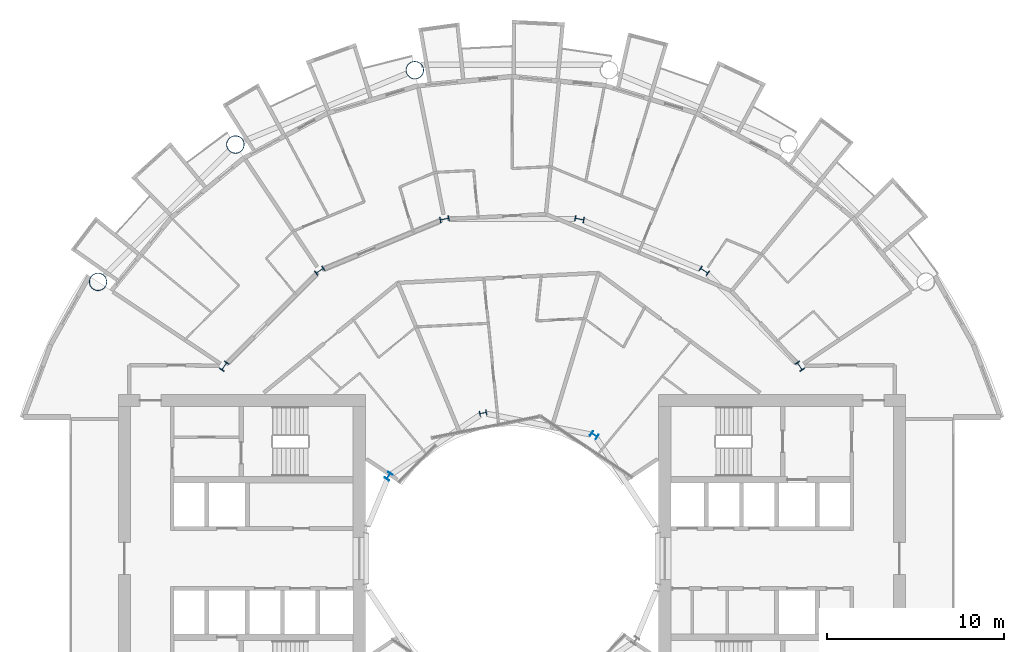
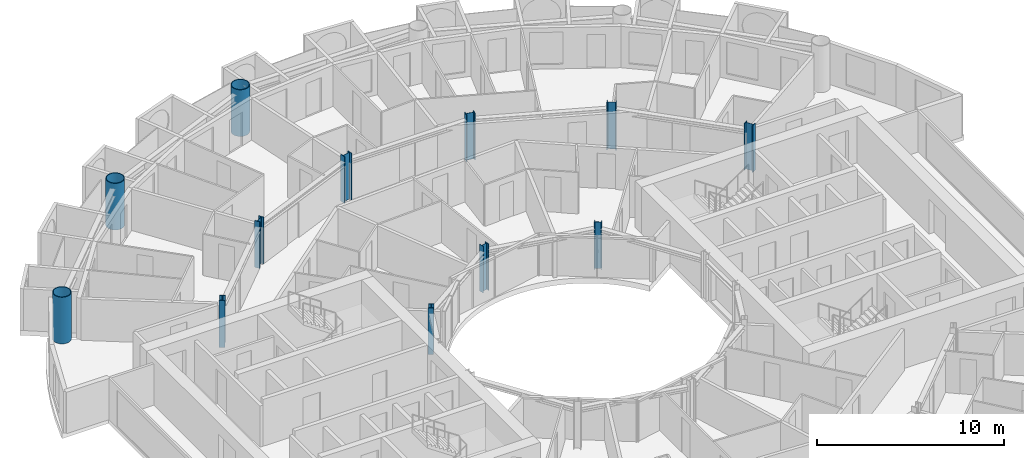
# One storey, part 3 of 26: 12 columns.
"""IFC4 building model written with IfcOpenShell, lengths in metres."""

from ifc_helpers import new_model, si_unit, direction, frame, origin, origin_2d, place, context, subcontext, project, spatial, hollow_circle, i_section, extrude, material, material_profile, profile_set, type_object, element, save


model = new_model("IFC4")

# Units and contexts
model_context = context("Model", 3, precision=1e-05, world=origin(), true_north=direction((0.0, 1.0)))
body_context = subcontext(model_context, "Body", "Model", "MODEL_VIEW")
ifc_project = project(units=[si_unit("LENGTHUNIT", "METRE"), si_unit("AREAUNIT", "SQUARE_METRE"), si_unit("VOLUMEUNIT", "CUBIC_METRE"), si_unit("PLANEANGLEUNIT", "RADIAN"), si_unit("MASSUNIT", "GRAM", prefix="KILO")], contexts=[model_context])

# Site, building, storey
site_placement = place(None, origin())
site = spatial("IfcSite", under=ifc_project, at=site_placement, CompositionType="ELEMENT")
building_placement = place(site_placement, origin())
building = spatial("IfcBuilding", under=site, at=building_placement, Name="Maasbend Ring Residences", CompositionType="ELEMENT")
storey_placement = place(building_placement, frame((0.0, 0.0, 69.699951171875)))
storey = spatial("IfcBuildingStorey", under=building, at=storey_placement, Name="L19", CompositionType="ELEMENT", Elevation=69.699951171875)

# Columns
ifc_material_1 = material(Name="Composite concrete-filled steel tube S460NH / C80/95", Category="concrete")
ifc_material_profile_1 = material_profile(ifc_material_1, hollow_circle(Radius=0.508056640625, WallThickness=0.0400390625, at=origin_2d()), Name="Composite tube column CHS 1016x40")
ifc_profile_set_1 = profile_set([ifc_material_profile_1], Name="Composite concrete-filled steel tube S460NH / C80/95")
column_type_1 = type_object("IfcColumnType", Name="Composite tube column CHS 1016x40", PredefinedType="COLUMN", material=ifc_profile_set_1)
for number, where, z_axis, x_axis, name in (
    (1, (-5.50146484375, 27.658203125, 0.0), (0.0, 0.0, 1.0), (1.0, 0.0, 0.0), "Outer column R5"),
    (2, (-15.6669921875, 23.447509765625, 0.0), (0.0, 0.0, 1.0), (1.0, 0.0, 0.0), "Outer column R6"),
    (3, (-23.447509765625, 15.6669921875, 0.0), (0.0, 0.0, 1.0), (1.0, 0.0, 0.0), "Outer column R7"),
):
    element("IfcColumn", number, at=place(storey_placement, frame(where, z_axis=z_axis, x_axis=x_axis)), inside=storey, type_object=column_type_1, Name=name, PredefinedType="COLUMN", context=body_context, shape_type="SweptSolid", body=[
        extrude(hollow_circle(Radius=0.508056640625, WallThickness=0.0400390625, at=origin_2d()), origin(), (0.0, 0.0, 1.0), 3.050048828125),
    ])
ifc_material_2 = material(Name="Steel S355J2", Category="steel")
ifc_material_profile_2 = material_profile(ifc_material_2, i_section(OverallWidth=0.300048828125, OverallDepth=0.39990234375, WebThickness=0.013427734375, FlangeThickness=0.02392578125, FilletRadius=0.027099609375, at=origin_2d()), Name="HEB 400")
ifc_profile_set_2 = profile_set([ifc_material_profile_2], Name="Steel S355J2")
column_type_2 = type_object("IfcColumnType", Name="Steel column HEB 400", PredefinedType="COLUMN", material=ifc_profile_set_2)
for number, where, z_axis, x_axis, name in (
    (4, (4.666748046875, 6.984375, 0.0), (0.0, 0.0, 1.0), (0.55557023302, 0.831469612303, 0.0), "Well ring column R3"),
    (5, (-1.638916015625, 8.238525390625, 0.0), (0.0, 0.0, 1.0), (-0.195090322016, 0.980785280403, 0.0), "Well ring column R5"),
    (6, (-6.984375, 4.666748046875, 0.0), (0.0, 0.0, 1.0), (-0.831469612303, 0.55557023302, 0.0), "Well ring column R7"),
):
    element("IfcColumn", number, at=place(storey_placement, frame(where, z_axis=z_axis, x_axis=x_axis)), inside=storey, type_object=column_type_2, Name=name, PredefinedType="COLUMN", context=body_context, shape_type="SweptSolid", body=[
        extrude(i_section(OverallWidth=0.300048828125, OverallDepth=0.39990234375, WebThickness=0.013427734375, FlangeThickness=0.02392578125, FilletRadius=0.027099609375, at=origin_2d()), origin(), (0.0, 0.0, 1.0), 3.050048828125),
    ])
ifc_material_3 = material(Name="Steel S460M", Category="steel")
ifc_material_profile_3 = material_profile(ifc_material_3, i_section(OverallWidth=0.305908203125, OverallDepth=0.52392578125, WebThickness=0.02099609375, FlangeThickness=0.0400390625, FilletRadius=0.027099609375, at=origin_2d()), Name="HEM 500")
ifc_profile_set_3 = profile_set([ifc_material_profile_3], Name="Steel S460M")
column_type_3 = type_object("IfcColumnType", Name="Steel column HEM 500", PredefinedType="COLUMN", material=ifc_profile_set_3)
for number, where, z_axis, x_axis, name in (
    (7, (16.296875, 10.88916015625, 0.0), (0.0, 0.0, 1.0), (0.831469612303, 0.55557023302, 0.0), "Corridor ring column R2"),
    (8, (10.88916015625, 16.296875, 0.0), (0.0, 0.0, 1.0), (0.55557023302, 0.831469612303, 0.0), "Corridor ring column R3"),
    (9, (3.82373046875, 19.223388671875, 0.0), (0.0, 0.0, 1.0), (0.195090322016, 0.980785280403, 0.0), "Corridor ring column R4"),
    (10, (-3.82373046875, 19.223388671875, 0.0), (0.0, 0.0, 1.0), (-0.195090322016, 0.980785280403, 0.0), "Corridor ring column R5"),
    (11, (-10.88916015625, 16.296875, 0.0), (0.0, 0.0, 1.0), (-0.55557023302, 0.831469612303, 0.0), "Corridor ring column R6"),
    (12, (-16.296875, 10.88916015625, 0.0), (0.0, 0.0, 1.0), (-0.831469612303, 0.55557023302, 0.0), "Corridor ring column R7"),
):
    element("IfcColumn", number, at=place(storey_placement, frame(where, z_axis=z_axis, x_axis=x_axis)), inside=storey, type_object=column_type_3, Name=name, PredefinedType="COLUMN", context=body_context, shape_type="SweptSolid", body=[
        extrude(i_section(OverallWidth=0.305908203125, OverallDepth=0.52392578125, WebThickness=0.02099609375, FlangeThickness=0.0400390625, FilletRadius=0.027099609375, at=origin_2d()), origin(), (0.0, 0.0, 1.0), 3.050048828125),
    ])

save(model, "model.ifc")
